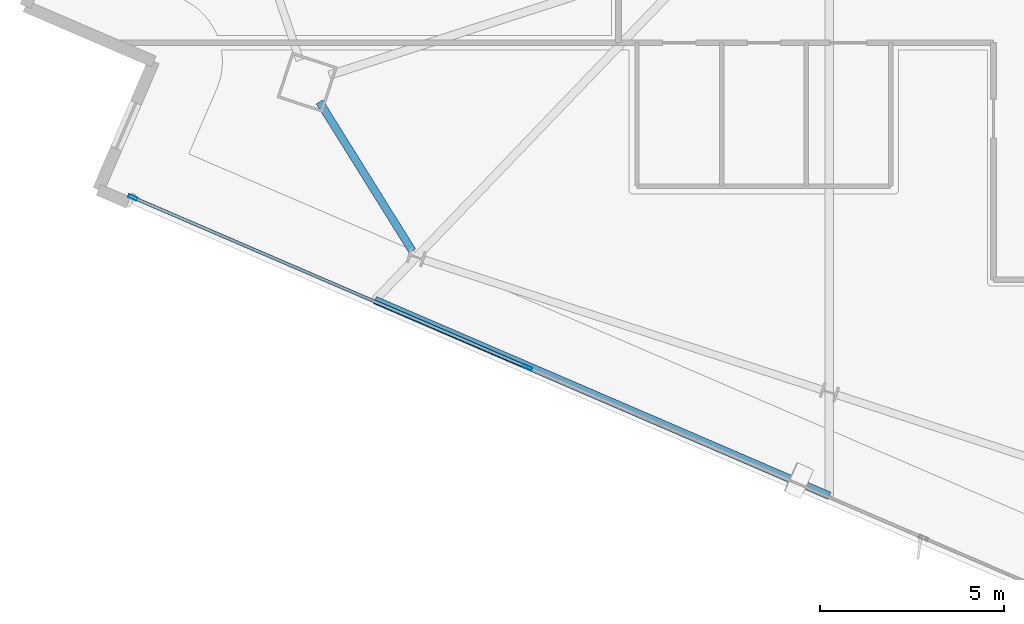
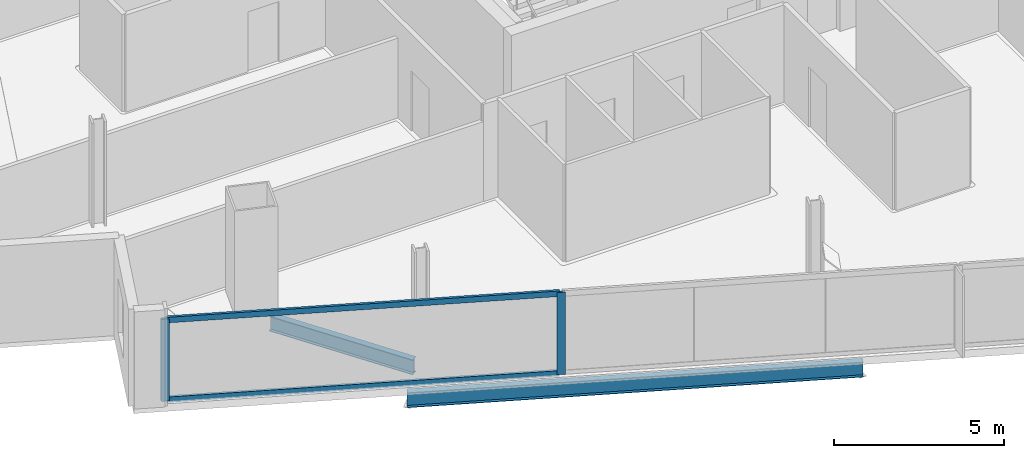
# One storey, part 2 of 28: 4 members, 2 beams, 1 element without a shape of its own.
"""IFC4 building model written with IfcOpenShell, lengths in metres."""

from ifc_helpers import new_model, si_unit, direction, frame, origin, origin_2d, place, context, subcontext, project, spatial, hollow_rectangle, i_section, extrude, material, material_profile, profile_set, type_object, element, aggregate, save


model = new_model("IFC4")

# Units and contexts
model_context = context("Model", 3, precision=1e-05, world=origin(), true_north=direction((0.0, 1.0)))
body_context = subcontext(model_context, "Body", "Model", "MODEL_VIEW")
ifc_project = project(units=[si_unit("LENGTHUNIT", "METRE"), si_unit("AREAUNIT", "SQUARE_METRE"), si_unit("VOLUMEUNIT", "CUBIC_METRE"), si_unit("PLANEANGLEUNIT", "RADIAN"), si_unit("MASSUNIT", "GRAM", prefix="KILO")], contexts=[model_context])

# Site, building, storey
site_placement = place(None, origin())
site = spatial("IfcSite", under=ifc_project, at=site_placement, CompositionType="ELEMENT")
building_placement = place(site_placement, origin())
building = spatial("IfcBuilding", under=site, at=building_placement, Name="Haldenkirk Collegiate Tower", CompositionType="ELEMENT")
storey_placement = place(building_placement, frame((0.0, 0.0, 252.449951171875)))
storey = spatial("IfcBuildingStorey", under=building, at=storey_placement, Name="L63", CompositionType="ELEMENT", Elevation=252.449951171875)

# Beams
ifc_material_1 = material(Name="Steel ASTM A992 Grade 50", Category="steel")
ifc_material_profile_1 = material_profile(ifc_material_1, i_section(OverallWidth=0.2099609375, OverallDepth=0.537109375, WebThickness=0.010986328125, FlangeThickness=0.017333984375, at=origin_2d()), Name="W21X68")
ifc_profile_set_1 = profile_set([ifc_material_profile_1], Name="Steel ASTM A992 Grade 50")
beam_type = type_object("IfcBeamType", Name="BM-SPANDREL-W21X68", PredefinedType="SPANDREL", material=ifc_profile_set_1)
beam_1_placement = place(storey_placement, frame((16.41064453125, 13.939697265625, -0.538330078125), z_axis=(0.528899826427, -0.848684260255, 0.0), x_axis=(0.848684260255, 0.528899826427, 0.0)))
element("IfcBeam", 1, at=beam_1_placement, inside=storey, type_object=beam_type, Name="L63 perimeter spandrel beam 13", PredefinedType="SPANDREL", context=body_context, shape_type="SweptSolid", body=[
    extrude(i_section(OverallWidth=0.2099609375, OverallDepth=0.537109375, WebThickness=0.010986328125, FlangeThickness=0.017333984375, at=origin_2d()), origin(), (0.0, 0.0, 1.0), 4.77392578125),
])
beam_2_placement = place(storey_placement, frame((17.92041015625, 8.548095703125, -0.538330078125), z_axis=(0.918447489572, -0.395542929274, 0.0), x_axis=(0.395542929274, 0.918447489572, 0.0)))
element("IfcBeam", 2, at=beam_2_placement, inside=storey, type_object=beam_type, Name="L63 outer facade edge beam 4", PredefinedType="SPANDREL", context=body_context, shape_type="SweptSolid", body=[
    extrude(i_section(OverallWidth=0.2099609375, OverallDepth=0.537109375, WebThickness=0.010986328125, FlangeThickness=0.017333984375, at=origin_2d()), origin(), (0.0, 0.0, 1.0), 13.46044921875),
])

# Curtain wall, members
ifc_material_2 = material(Name="Anodised architectural bronze aluminium", Category="aluminium")
curtain_wall_type = type_object("IfcCurtainWallType", Name="CW-SYS1B-CONVEX-HI", PredefinedType="USERDEFINED", material=ifc_material_2)
curtain_wall_placement = place(storey_placement, origin())
curtain_wall = element("IfcCurtainWall", 3, at=curtain_wall_placement, inside=storey, type_object=curtain_wall_type, Name="L63 Upper tower high-wind convex bronze unitised curtain wall", ObjectType="UNITISED CURTAIN WALL", PredefinedType="USERDEFINED")
ifc_material_profile_2 = material_profile(ifc_material_2, hollow_rectangle(XDim=0.0849609375, YDim=0.25, WallThickness=0.0048828125, at=origin_2d()), Name="CW-MUL-1B")
ifc_profile_set_2 = profile_set([ifc_material_profile_2], Name="Anodised architectural bronze aluminium")
member_type_1 = type_object("IfcMemberType", Name="CW-MUL-1B", PredefinedType="MULLION", material=ifc_profile_set_2)
member_1_placement = place(storey_placement, frame((22.070068359375, 6.71728515625, 0.0), z_axis=(0.0, 0.0, 1.0), x_axis=(-0.395545592347, -0.918446342676, 0.0)))
member_1 = element("IfcMember", 4, at=member_1_placement, type_object=member_type_1, Name="CW-1B mullion 3", PredefinedType="MULLION", context=body_context, shape_type="SweptSolid", body=[
    extrude(hollow_rectangle(XDim=0.0849609375, YDim=0.25, WallThickness=0.0048828125, at=origin_2d()), origin(), (0.0, 0.0, 1.0), 2.93798828125),
])
member_2_placement = place(storey_placement, frame((11.332763671875, 11.341552734375, 0.0), z_axis=(0.0, 0.0, 1.0), x_axis=(-0.395545592347, -0.918446342676, 0.0)))
member_2 = element("IfcMember", 5, at=member_2_placement, type_object=member_type_1, Name="CW-1B mullion 4", PredefinedType="MULLION", context=body_context, shape_type="SweptSolid", body=[
    extrude(hollow_rectangle(XDim=0.0849609375, YDim=0.25, WallThickness=0.0048828125, at=origin_2d()), origin(), (0.0, 0.0, 1.0), 2.93798828125),
])
ifc_material_profile_3 = material_profile(ifc_material_2, hollow_rectangle(XDim=0.0849609375, YDim=0.199951171875, WallThickness=0.0048828125, at=origin_2d()), Name="CW-TRN-1B")
ifc_profile_set_3 = profile_set([ifc_material_profile_3], Name="Anodised architectural bronze aluminium")
member_type_2 = type_object("IfcMemberType", Name="CW-TRN-1B", PredefinedType="USERDEFINED", material=ifc_profile_set_3)
member_3_placement = place(storey_placement, frame((22.031005859375, 6.734130859375, 0.04248046875), z_axis=(-0.918446126172, 0.395546095062, 0.0), x_axis=(-0.395546095062, -0.918446126172, 0.0)))
member_3 = element("IfcMember", 6, at=member_3_placement, type_object=member_type_2, Name="CW-1B transom 3.1", ObjectType="TRANSOM", PredefinedType="USERDEFINED", context=body_context, shape_type="SweptSolid", body=[
    extrude(hollow_rectangle(XDim=0.0849609375, YDim=0.199951171875, WallThickness=0.0048828125, at=origin_2d()), origin(), (0.0, 0.0, 1.0), 11.605712890625),
])
member_4_placement = place(storey_placement, frame((22.031005859375, 6.734130859375, 2.8955078125), z_axis=(-0.918446126172, 0.395546095062, 0.0), x_axis=(-0.395546095062, -0.918446126172, 0.0)))
member_4 = element("IfcMember", 7, at=member_4_placement, type_object=member_type_2, Name="CW-1B transom 3.2", ObjectType="TRANSOM", PredefinedType="USERDEFINED", context=body_context, shape_type="SweptSolid", body=[
    extrude(hollow_rectangle(XDim=0.0849609375, YDim=0.199951171875, WallThickness=0.0048828125, at=origin_2d()), origin(), (0.0, 0.0, 1.0), 11.605712890625),
])
aggregate(curtain_wall, [member_1, member_2, member_3, member_4])

save(model, "model.ifc")
